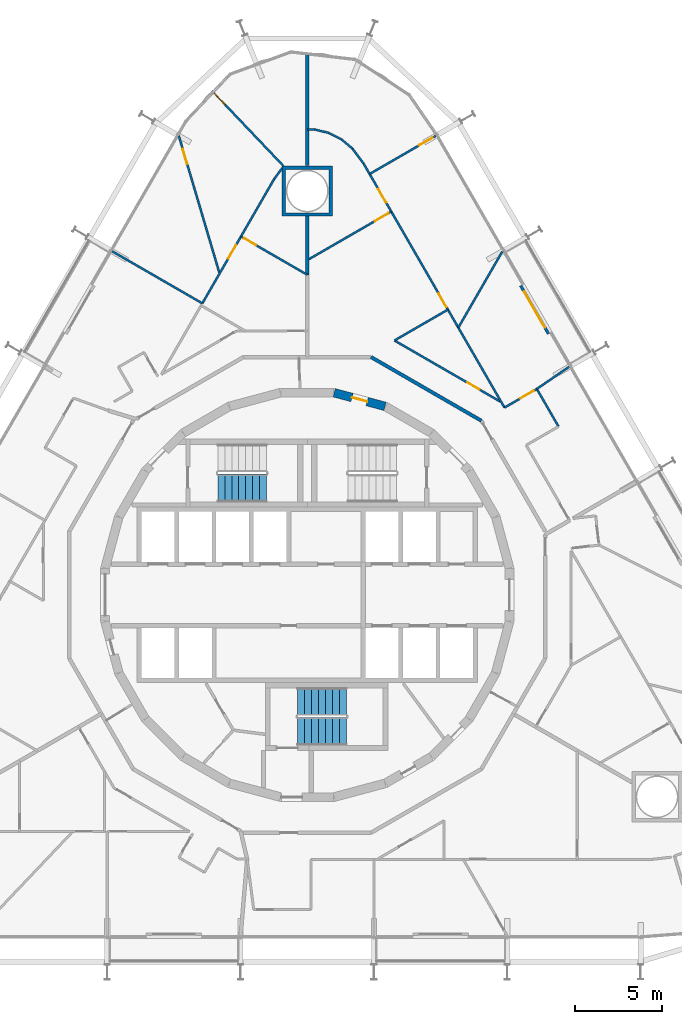
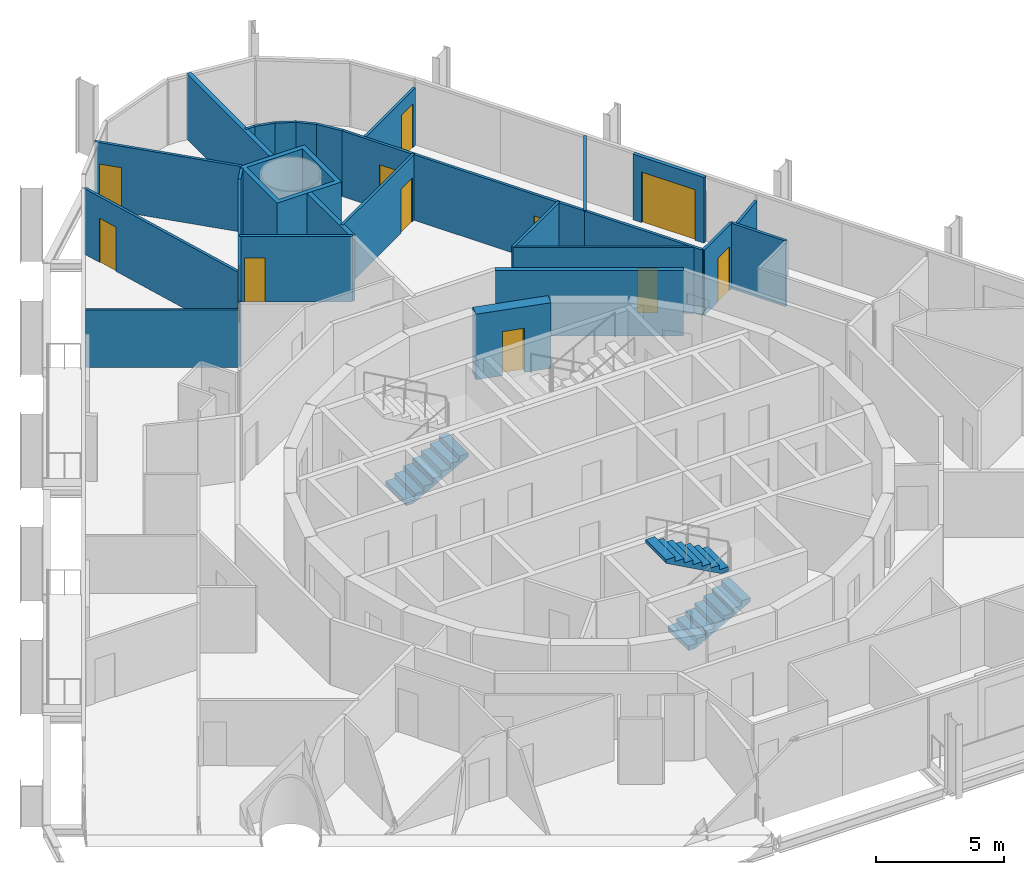
# One storey, part 18 of 20: 27 walls, 12 doors, 3 stair flights, 12 openings, 2 elements without a shape of their own.
"""IFC4 building model written with IfcOpenShell, lengths in metres."""

from ifc_helpers import new_model, si_unit, direction, frame, frame_2d, origin, place, context, subcontext, project, spatial, polyline, rectangle, outline, extrude, material, layer, layer_set, type_object, element, fill, aggregate, save


model = new_model("IFC4")

# Units and contexts
model_context = context("Model", 3, precision=1e-05, world=origin(), true_north=direction((0.0, 1.0)))
body_context = subcontext(model_context, "Body", "Model", "MODEL_VIEW")
ifc_project = project(units=[si_unit("LENGTHUNIT", "METRE"), si_unit("AREAUNIT", "SQUARE_METRE"), si_unit("VOLUMEUNIT", "CUBIC_METRE"), si_unit("PLANEANGLEUNIT", "RADIAN"), si_unit("MASSUNIT", "GRAM", prefix="KILO")], contexts=[model_context])

# Site, building, storey
site_placement = place(None, origin())
site = spatial("IfcSite", under=ifc_project, at=site_placement, CompositionType="ELEMENT")
building_placement = place(site_placement, origin())
building = spatial("IfcBuilding", under=site, at=building_placement, Name="Spindle Arch Residences", CompositionType="ELEMENT")
storey_placement = place(building_placement, frame((0.0, 0.0, 59.39990234375)))
storey = spatial("IfcBuildingStorey", under=building, at=storey_placement, Name="L13", CompositionType="ELEMENT", Elevation=59.39990234375)

# Wall, opening, door
ifc_material_1 = material(Name="Concrete C50/60", Category="concrete")
ifc_layer_1 = layer(ifc_material_1, 0.5)
ifc_layer_set_1 = layer_set([ifc_layer_1], Name="Core outline wall 500")
wall_type_1 = type_object("IfcWallType", Name="Core outline wall 500", PredefinedType="SHEAR", material=ifc_layer_set_1)
wall_1_placement = place(storey_placement, frame((4.479248046875, 10.858154296875, 0.0), z_axis=(0.0, 0.0, 1.0), x_axis=(-0.965948410781, 0.258734743916, 0.0)))
wall_1 = element("IfcWall", 1, at=wall_1_placement, inside=storey, type_object=wall_type_1, Name="Core outline wall 11", PredefinedType="SHEAR", context=body_context, shape_type="SweptSolid", body=[
    extrude(rectangle(XDim=3.03271484375, YDim=0.5, at=frame_2d((1.516357421875, 0.0))), origin(), (0.0, 0.0, 1.0), 3.1201171875),
])
opening_1_placement = place(wall_1_placement, frame((1.066162109375, 0.0, 0.0)))
opening_1 = element("IfcOpeningElement", 2, at=opening_1_placement, cuts=wall_1, Name="Opening R1C0-WD09", PredefinedType="OPENING", context=body_context, shape_type="SweptSolid", body=[
    extrude(rectangle(XDim=0.89990234375, YDim=2.10009765625, at=frame_2d((0.449951171875, 1.050048828125))), frame((0.0, 0.260009765625, 0.0), z_axis=(0.0, -1.0, 0.0), x_axis=(1.0, 0.0, 0.0)), (0.0, 0.0, 1.0), 0.52001953125),
])
ifc_material_2 = material(Name="Steel, fire-resisting door", Category="steel")
door_type_1 = type_object("IfcDoorType", Name="Service room door 900x2100", OperationType="SINGLE_SWING_LEFT", PredefinedType="DOOR", material=ifc_material_2)
door_1_placement = place(opening_1_placement, origin())
door_1 = element("IfcDoor", 3, at=door_1_placement, inside=storey, type_object=door_type_1, Name="Service room door R1C0-WD09", OperationType="SINGLE_SWING_RIGHT", OverallHeight=2.10009765625, OverallWidth=0.89990234375, PredefinedType="DOOR", context=body_context, shape_type="SweptSolid", body=[
    extrude(rectangle(XDim=0.89990234375, YDim=2.10009765625, at=frame_2d((0.449951171875, 1.050048828125))), frame((0.0, 0.02490234375, 0.0), z_axis=(0.0, -1.0, 0.0), x_axis=(1.0, 0.0, 0.0)), (0.0, 0.0, 1.0), 0.050048828125),
])
fill(opening_1, door_1)

# Walls
ifc_material_3 = material(Name="Calcium silicate block, plastered")
ifc_layer_2 = layer(ifc_material_3, 0.199951171875)
ifc_layer_set_2 = layer_set([ifc_layer_2], Name="Corridor wall 200")
wall_type_2 = type_object("IfcWallType", Name="Corridor wall 200", PredefinedType="STANDARD", material=ifc_layer_set_2)
wall_2_placement = place(storey_placement, frame((10.029052734375, 10.029052734375, 0.0), z_axis=(0.0, 0.0, 1.0), x_axis=(-0.866024439905, 0.500001669485, 0.0)))
element("IfcWall", 4, at=wall_2_placement, inside=storey, type_object=wall_type_2, Name="Corridor wall R1C0-W005", PredefinedType="STANDARD", context=body_context, shape_type="SweptSolid", body=[
    extrude(rectangle(XDim=7.341796875, YDim=0.199951171875, at=frame_2d((3.6708984375, 0.0))), origin(), (0.0, 0.0, 1.0), 3.1201171875),
])
ifc_material_4 = material(Name="Plasterboard on steel studs", Category="steel")
ifc_layer_3 = layer(ifc_material_4, 0.1201171875)
ifc_layer_set_3 = layer_set([ifc_layer_3], Name="Flat partition 120")
wall_type_3 = type_object("IfcWallType", Name="Flat partition 120", PredefinedType="PARTITIONING", material=ifc_layer_set_3)
wall_3_placement = place(storey_placement, frame((14.470703125, 9.697021484375, 0.0), z_axis=(0.0, 0.0, 1.0), x_axis=(-0.500004234368, 0.866022959057, 0.0)))
element("IfcWall", 5, at=wall_3_placement, inside=storey, type_object=wall_type_3, Name="Flat partition R1C0-W034", PredefinedType="PARTITIONING", context=body_context, shape_type="SweptSolid", body=[
    extrude(rectangle(XDim=2.5, YDim=0.1201171875, at=frame_2d((1.25, 0.0))), origin(), (0.0, 0.0, 1.0), 3.1201171875),
])

# Wall, opening, door
wall_4_placement = place(storey_placement, frame((13.220703125, 11.862060546875, 0.0), z_axis=(0.0, 0.0, 1.0), x_axis=(-0.866055151781, -0.499948471418, 0.0)))
wall_4 = element("IfcWall", 6, at=wall_4_placement, inside=storey, type_object=wall_type_3, Name="Flat partition R1C0-W035", PredefinedType="PARTITIONING", context=body_context, shape_type="SweptSolid", body=[
    extrude(rectangle(XDim=2.150634765625, YDim=0.1201171875, at=frame_2d((1.0751953125, 0.0))), origin(), (0.0, 0.0, 1.0), 3.1201171875),
])
opening_2_placement = place(wall_4_placement, frame((0.199951171875, 0.0, 0.0)))
opening_2 = element("IfcOpeningElement", 7, at=opening_2_placement, cuts=wall_4, Name="Opening R1C0-ID02", PredefinedType="OPENING", context=body_context, shape_type="SweptSolid", body=[
    extrude(rectangle(XDim=0.89990234375, YDim=2.10009765625, at=frame_2d((0.449951171875, 1.050048828125))), frame((0.0, 0.070068359375, 0.0), z_axis=(0.0, -1.0, 0.0), x_axis=(1.0, 0.0, 0.0)), (0.0, 0.0, 1.0), 0.14013671875),
])
ifc_material_5 = material(Name="Timber door set", Category="wood")
door_type_2 = type_object("IfcDoorType", Name="Room door 900x2100", OperationType="NOTDEFINED", PredefinedType="DOOR", material=ifc_material_5)
door_2_placement = place(opening_2_placement, origin())
door_2 = element("IfcDoor", 8, at=door_2_placement, inside=storey, type_object=door_type_2, Name="Room door R1C0-ID02", OperationType="SINGLE_SWING_RIGHT", OverallHeight=2.10009765625, OverallWidth=0.89990234375, PredefinedType="DOOR", context=body_context, shape_type="SweptSolid", body=[
    extrude(rectangle(XDim=0.89990234375, YDim=2.10009765625, at=frame_2d((0.449951171875, 1.050048828125))), frame((0.0, 0.02490234375, 0.0), z_axis=(0.0, -1.0, 0.0), x_axis=(1.0, 0.0, 0.0)), (0.0, 0.0, 1.0), 0.050048828125),
])
fill(opening_2, door_2)

wall_5_placement = place(storey_placement, frame((11.127197265625, 11.127197265625, 0.0), z_axis=(0.0, 0.0, 1.0), x_axis=(-0.86602299963, 0.500004164094, 0.0)))
wall_5 = element("IfcWall", 9, at=wall_5_placement, inside=storey, type_object=wall_type_3, Name="Flat partition R1C0-W036", PredefinedType="PARTITIONING", context=body_context, shape_type="SweptSolid", body=[
    extrude(rectangle(XDim=7.0517578125, YDim=0.1201171875, at=frame_2d((3.52587890625, 0.0))), origin(), (0.0, 0.0, 1.0), 3.1201171875),
])
opening_3_placement = place(wall_5_placement, frame((1.39990234375, 0.0, 0.0)))
opening_3 = element("IfcOpeningElement", 10, at=opening_3_placement, cuts=wall_5, Name="Opening R1C0-BD01", PredefinedType="OPENING", context=body_context, shape_type="SweptSolid", body=[
    extrude(rectangle(XDim=0.800048828125, YDim=2.10009765625, at=frame_2d((0.39990234375, 1.050048828125))), frame((0.0, 0.070068359375, 0.0), z_axis=(0.0, -1.0, 0.0), x_axis=(1.0, 0.0, 0.0)), (0.0, 0.0, 1.0), 0.14013671875),
])
ifc_material_6 = material(Name="Timber door set", Category="wood")
door_type_3 = type_object("IfcDoorType", Name="Bathroom door 800x2100", OperationType="NOTDEFINED", PredefinedType="DOOR", material=ifc_material_6)
door_3_placement = place(opening_3_placement, origin())
door_3 = element("IfcDoor", 11, at=door_3_placement, inside=storey, type_object=door_type_3, Name="Bathroom door R1C0-BD01", OperationType="SINGLE_SWING_RIGHT", OverallHeight=2.10009765625, OverallWidth=0.800048828125, PredefinedType="DOOR", context=body_context, shape_type="SweptSolid", body=[
    extrude(rectangle(XDim=0.800048828125, YDim=2.10009765625, at=frame_2d((0.39990234375, 1.050048828125))), frame((0.0, 0.02490234375, 0.0), z_axis=(0.0, -1.0, 0.0), x_axis=(1.0, 0.0, 0.0)), (0.0, 0.0, 1.0), 0.050048828125),
])
fill(opening_3, door_3)

# Wall
wall_6_placement = place(storey_placement, frame((5.020263671875, 14.653076171875, 0.0), z_axis=(0.0, 0.0, 1.0), x_axis=(0.866028940167, 0.499993874756, 0.0)))
element("IfcWall", 12, at=wall_6_placement, inside=storey, type_object=wall_type_3, Name="Flat partition R1C0-W037", PredefinedType="PARTITIONING", context=body_context, shape_type="SweptSolid", body=[
    extrude(rectangle(XDim=3.5556640625, YDim=0.1201171875, at=frame_2d((1.77783203125, 0.0))), origin(), (0.0, 0.0, 1.0), 3.1201171875),
])

# Wall, openings, doors
wall_7_placement = place(storey_placement, frame((8.69970703125, 15.3916015625, 0.0), z_axis=(0.0, 0.0, 1.0), x_axis=(-0.500002742713, 0.866023820272, 0.0)))
wall_7 = element("IfcWall", 13, at=wall_7_placement, inside=storey, type_object=wall_type_3, Name="Flat partition R1C0-W038", PredefinedType="PARTITIONING", context=body_context, shape_type="SweptSolid", body=[
    extrude(rectangle(XDim=10.90771484375, YDim=0.1201171875, at=frame_2d((5.453857421875, 0.0))), origin(), (0.0, 0.0, 1.0), 3.1201171875),
])
opening_4_placement = place(wall_7_placement, frame((1.360107421875, 0.0, 0.0)))
opening_4 = element("IfcOpeningElement", 14, at=opening_4_placement, cuts=wall_7, Name="Opening R1C0-ID03", PredefinedType="OPENING", context=body_context, shape_type="SweptSolid", body=[
    extrude(rectangle(XDim=0.89990234375, YDim=2.10009765625, at=frame_2d((0.449951171875, 1.050048828125))), frame((0.0, 0.070068359375, 0.0), z_axis=(0.0, -1.0, 0.0), x_axis=(1.0, 0.0, 0.0)), (0.0, 0.0, 1.0), 0.14013671875),
])
opening_5_placement = place(wall_7_placement, frame((8.3173828125, 0.0, 0.0)))
opening_5 = element("IfcOpeningElement", 15, at=opening_5_placement, cuts=wall_7, Name="Opening R1C0-ID06", PredefinedType="OPENING", context=body_context, shape_type="SweptSolid", body=[
    extrude(rectangle(XDim=0.89990234375, YDim=2.10009765625, at=frame_2d((0.449951171875, 1.050048828125))), frame((0.0, 0.070068359375, 0.0), z_axis=(0.0, -1.0, 0.0), x_axis=(1.0, 0.0, 0.0)), (0.0, 0.0, 1.0), 0.14013671875),
])
door_4_placement = place(opening_4_placement, origin())
door_4 = element("IfcDoor", 16, at=door_4_placement, inside=storey, type_object=door_type_2, Name="Room door R1C0-ID03", OperationType="SINGLE_SWING_RIGHT", OverallHeight=2.10009765625, OverallWidth=0.89990234375, PredefinedType="DOOR", context=body_context, shape_type="SweptSolid", body=[
    extrude(rectangle(XDim=0.89990234375, YDim=2.10009765625, at=frame_2d((0.449951171875, 1.050048828125))), frame((0.0, 0.02490234375, 0.0), z_axis=(0.0, -1.0, 0.0), x_axis=(1.0, 0.0, 0.0)), (0.0, 0.0, 1.0), 0.050048828125),
])
fill(opening_4, door_4)
door_5_placement = place(opening_5_placement, origin())
door_5 = element("IfcDoor", 17, at=door_5_placement, inside=storey, type_object=door_type_2, Name="Room door R1C0-ID06", OperationType="SINGLE_SWING_LEFT", OverallHeight=2.10009765625, OverallWidth=0.89990234375, PredefinedType="DOOR", context=body_context, shape_type="SweptSolid", body=[
    extrude(rectangle(XDim=0.89990234375, YDim=2.10009765625, at=frame_2d((0.449951171875, 1.050048828125))), frame((0.0, 0.02490234375, 0.0), z_axis=(0.0, -1.0, 0.0), x_axis=(1.0, 0.0, 0.0)), (0.0, 0.0, 1.0), 0.050048828125),
])
fill(opening_5, door_5)

# Wall, opening, door
wall_8_placement = place(storey_placement, frame((4.8408203125, 22.0751953125, 0.0), z_axis=(0.0, 0.0, 1.0), x_axis=(-0.866019751484, -0.500009789943, 0.0)))
wall_8 = element("IfcWall", 18, at=wall_8_placement, inside=storey, type_object=wall_type_3, Name="Flat partition R1C0-W039", PredefinedType="PARTITIONING", context=body_context, shape_type="SweptSolid", body=[
    extrude(rectangle(XDim=5.58984375, YDim=0.1201171875, at=frame_2d((2.794921875, 0.0))), origin(), (0.0, 0.0, 1.0), 3.1201171875),
])
opening_6_placement = place(wall_8_placement, frame((0.199951171875, 0.0, 0.0)))
opening_6 = element("IfcOpeningElement", 19, at=opening_6_placement, cuts=wall_8, Name="Opening R1C0-ID04", PredefinedType="OPENING", context=body_context, shape_type="SweptSolid", body=[
    extrude(rectangle(XDim=0.89990234375, YDim=2.10009765625, at=frame_2d((0.449951171875, 1.050048828125))), frame((0.0, 0.070068359375, 0.0), z_axis=(0.0, -1.0, 0.0), x_axis=(1.0, 0.0, 0.0)), (0.0, 0.0, 1.0), 0.14013671875),
])
door_6_placement = place(opening_6_placement, origin())
door_6 = element("IfcDoor", 20, at=door_6_placement, inside=storey, type_object=door_type_2, Name="Room door R1C0-ID04", OperationType="SINGLE_SWING_RIGHT", OverallHeight=2.10009765625, OverallWidth=0.89990234375, PredefinedType="DOOR", context=body_context, shape_type="SweptSolid", body=[
    extrude(rectangle(XDim=0.89990234375, YDim=2.10009765625, at=frame_2d((0.449951171875, 1.050048828125))), frame((0.0, 0.02490234375, 0.0), z_axis=(0.0, -1.0, 0.0), x_axis=(1.0, 0.0, 0.0)), (0.0, 0.0, 1.0), 0.050048828125),
])
fill(opening_6, door_6)

# Walls
wall_9_placement = place(storey_placement, frame((8.69970703125, 15.3916015625, 0.0), z_axis=(0.0, 0.0, 1.0), x_axis=(0.499986106925, -0.866033424806, 0.0)))
element("IfcWall", 21, at=wall_9_placement, inside=storey, type_object=wall_type_3, Name="Flat partition R1C0-W041", PredefinedType="PARTITIONING", context=body_context, shape_type="SweptSolid", body=[
    extrude(rectangle(XDim=5.317138671875, YDim=0.1201171875, at=frame_2d((2.65869140625, 0.0))), origin(), (0.0, 0.0, 1.0), 3.1201171875),
])
wall_10_placement = place(storey_placement, frame((11.239990234375, 19.791748046875, 0.0), z_axis=(0.0, 0.0, 1.0), x_axis=(-0.499978956711, -0.866037552792, 0.0)))
element("IfcWall", 22, at=wall_10_placement, inside=storey, type_object=wall_type_3, Name="Flat partition R1C0-W042", PredefinedType="PARTITIONING", context=body_context, shape_type="SweptSolid", body=[
    extrude(rectangle(XDim=5.080810546875, YDim=0.1201171875, at=frame_2d((2.54052734375, 0.0))), origin(), (0.0, 0.0, 1.0), 3.1201171875),
])
wall_11_placement = place(storey_placement, frame((0.0, 26.8056640625, 0.0), z_axis=(0.0, 0.0, 1.0), x_axis=(1.0, 0.0, 0.0)))
element("IfcWall", 23, at=wall_11_placement, inside=storey, type_object=wall_type_3, Name="Flat partition R1C0-W044", PredefinedType="PARTITIONING", context=body_context, shape_type="SweptSolid", body=[
    extrude(rectangle(XDim=0.41455078125, YDim=0.1201171875, at=frame_2d((0.207275390625, 0.0))), origin(), (0.0, 0.0, 1.0), 3.1201171875),
])
wall_12_placement = place(storey_placement, frame((0.41455078125, 26.8056640625, 0.0), z_axis=(0.0, 0.0, 1.0), x_axis=(0.973048993259, -0.230598475097, 0.0)))
element("IfcWall", 24, at=wall_12_placement, inside=storey, type_object=wall_type_3, Name="Flat partition R1C0-W045", PredefinedType="PARTITIONING", context=body_context, shape_type="SweptSolid", body=[
    extrude(rectangle(XDim=0.8291015625, YDim=0.1201171875, at=frame_2d((0.41455078125, 0.0))), origin(), (0.0, 0.0, 1.0), 3.1201171875),
])
for number, where, z_axis, x_axis, name in (
    (25, (1.22119140625, 26.614501953125, 0.0), (0.0, 0.0, 1.0), (0.893719110379, -0.448626962791, 0.0), "Flat partition R1C0-W046"),
    (26, (1.9619140625, 26.24267578125, 0.0), (0.0, 0.0, 1.0), (0.765849913579, -0.643019369748, 0.0), "Flat partition R1C0-W047"),
):
    element("IfcWall", number, at=place(storey_placement, frame(where, z_axis=z_axis, x_axis=x_axis)), inside=storey, type_object=wall_type_3, Name=name, PredefinedType="PARTITIONING", context=body_context, shape_type="SweptSolid", body=[
        extrude(rectangle(XDim=0.828857421875, YDim=0.1201171875, at=frame_2d((0.41455078125, 0.0))), origin(), (0.0, 0.0, 1.0), 3.1201171875),
    ])
wall_13_placement = place(storey_placement, frame((2.5966796875, 25.709716796875, 0.0), z_axis=(0.0, 0.0, 1.0), x_axis=(0.59722925597, -0.802070580319, 0.0)))
element("IfcWall", 27, at=wall_13_placement, inside=storey, type_object=wall_type_3, Name="Flat partition R1C0-W048", PredefinedType="PARTITIONING", context=body_context, shape_type="SweptSolid", body=[
    extrude(rectangle(XDim=1.0869140625, YDim=0.1201171875, at=frame_2d((0.54345703125, 0.0))), origin(), (0.0, 0.0, 1.0), 3.1201171875),
])

# Wall, opening, door
wall_14_placement = place(storey_placement, frame((-5.487060546875, 29.0283203125, 0.0), z_axis=(0.0, 0.0, 1.0), x_axis=(0.689189638576, -0.724581011398, 0.0)))
wall_14 = element("IfcWall", 28, at=wall_14_placement, inside=storey, type_object=wall_type_3, Name="Flat partition R1C0-W055", PredefinedType="PARTITIONING", context=body_context, shape_type="SweptSolid", body=[
    extrude(rectangle(XDim=5.960205078125, YDim=0.1201171875, at=frame_2d((2.97998046875, 0.0))), origin(), (0.0, 0.0, 1.0), 3.1201171875),
])
opening_7_placement = place(wall_14_placement, frame((0.199951171875, 0.0, 0.0)))
opening_7 = element("IfcOpeningElement", 29, at=opening_7_placement, cuts=wall_14, Name="Opening R1C0-ID10", PredefinedType="OPENING", context=body_context, shape_type="SweptSolid", body=[
    extrude(rectangle(XDim=0.89990234375, YDim=2.10009765625, at=frame_2d((0.449951171875, 1.050048828125))), frame((0.0, 0.070068359375, 0.0), z_axis=(0.0, -1.0, 0.0), x_axis=(1.0, 0.0, 0.0)), (0.0, 0.0, 1.0), 0.14013671875),
])
door_7_placement = place(opening_7_placement, origin())
door_7 = element("IfcDoor", 30, at=door_7_placement, inside=storey, type_object=door_type_2, Name="Room door R1C0-ID10", OperationType="SINGLE_SWING_LEFT", OverallHeight=2.10009765625, OverallWidth=0.89990234375, PredefinedType="DOOR", context=body_context, shape_type="SweptSolid", body=[
    extrude(rectangle(XDim=0.89990234375, YDim=2.10009765625, at=frame_2d((0.449951171875, 1.050048828125))), frame((0.0, 0.02490234375, 0.0), z_axis=(0.0, -1.0, 0.0), x_axis=(1.0, 0.0, 0.0)), (0.0, 0.0, 1.0), 0.050048828125),
])
fill(opening_7, door_7)

wall_15_placement = place(storey_placement, frame((-3.820556640625, 20.642578125, 0.0), z_axis=(0.0, 0.0, 1.0), x_axis=(0.866024310165, -0.5000018942, 0.0)))
wall_15 = element("IfcWall", 31, at=wall_15_placement, inside=storey, type_object=wall_type_3, Name="Flat partition R1C0-W056", PredefinedType="PARTITIONING", context=body_context, shape_type="SweptSolid", body=[
    extrude(rectangle(XDim=4.41162109375, YDim=0.1201171875, at=frame_2d((2.205810546875, 0.0))), origin(), (0.0, 0.0, 1.0), 3.1201171875),
])
opening_8_placement = place(wall_15_placement, frame((0.199951171875, 0.0, 0.0)))
opening_8 = element("IfcOpeningElement", 32, at=opening_8_placement, cuts=wall_15, Name="Opening R1C0-BD03", PredefinedType="OPENING", context=body_context, shape_type="SweptSolid", body=[
    extrude(rectangle(XDim=0.800048828125, YDim=2.10009765625, at=frame_2d((0.39990234375, 1.050048828125))), frame((0.0, 0.070068359375, 0.0), z_axis=(0.0, -1.0, 0.0), x_axis=(1.0, 0.0, 0.0)), (0.0, 0.0, 1.0), 0.14013671875),
])
door_8_placement = place(opening_8_placement, origin())
door_8 = element("IfcDoor", 33, at=door_8_placement, inside=storey, type_object=door_type_3, Name="Bathroom door R1C0-BD03", OperationType="SINGLE_SWING_LEFT", OverallHeight=2.10009765625, OverallWidth=0.800048828125, PredefinedType="DOOR", context=body_context, shape_type="SweptSolid", body=[
    extrude(rectangle(XDim=0.800048828125, YDim=2.10009765625, at=frame_2d((0.39990234375, 1.050048828125))), frame((0.0, 0.02490234375, 0.0), z_axis=(0.0, -1.0, 0.0), x_axis=(1.0, 0.0, 0.0)), (0.0, 0.0, 1.0), 0.050048828125),
])
fill(opening_8, door_8)

# Wall
wall_16_placement = place(storey_placement, frame((-1.449951171875, 24.57080078125, 0.0), z_axis=(0.0, 0.0, 1.0), x_axis=(-0.597187509737, -0.802101663266, 0.0)))
element("IfcWall", 34, at=wall_16_placement, inside=storey, type_object=wall_type_3, Name="Flat partition R1C0-W057", PredefinedType="PARTITIONING", context=body_context, shape_type="SweptSolid", body=[
    extrude(rectangle(XDim=0.764892578125, YDim=0.1201171875, at=frame_2d((0.38232421875, 0.0))), origin(), (0.0, 0.0, 1.0), 3.1201171875),
])

# Wall, opening, door
wall_17_placement = place(storey_placement, frame((-1.90673828125, 23.957275390625, 0.0), z_axis=(0.0, 0.0, 1.0), x_axis=(-0.499994901178, -0.866028347571, 0.0)))
wall_17 = element("IfcWall", 35, at=wall_17_placement, inside=storey, type_object=wall_type_3, Name="Flat partition R1C0-W058", PredefinedType="PARTITIONING", context=body_context, shape_type="SweptSolid", body=[
    extrude(rectangle(XDim=8.27392578125, YDim=0.1201171875, at=frame_2d((4.136962890625, 0.0))), origin(), (0.0, 0.0, 1.0), 3.1201171875),
])
opening_9_placement = place(wall_17_placement, frame((4.387451171875, 0.0, 0.0)))
opening_9 = element("IfcOpeningElement", 36, at=opening_9_placement, cuts=wall_17, Name="Opening R1C0-ID09", PredefinedType="OPENING", context=body_context, shape_type="SweptSolid", body=[
    extrude(rectangle(XDim=0.89990234375, YDim=2.10009765625, at=frame_2d((0.449951171875, 1.050048828125))), frame((0.0, 0.070068359375, 0.0), z_axis=(0.0, -1.0, 0.0), x_axis=(1.0, 0.0, 0.0)), (0.0, 0.0, 1.0), 0.14013671875),
])
door_9_placement = place(opening_9_placement, origin())
door_9 = element("IfcDoor", 37, at=door_9_placement, inside=storey, type_object=door_type_2, Name="Room door R1C0-ID09", OperationType="SINGLE_SWING_LEFT", OverallHeight=2.10009765625, OverallWidth=0.89990234375, PredefinedType="DOOR", context=body_context, shape_type="SweptSolid", body=[
    extrude(rectangle(XDim=0.89990234375, YDim=2.10009765625, at=frame_2d((0.449951171875, 1.050048828125))), frame((0.0, 0.02490234375, 0.0), z_axis=(0.0, -1.0, 0.0), x_axis=(1.0, 0.0, 0.0)), (0.0, 0.0, 1.0), 0.050048828125),
])
fill(opening_9, door_9)

wall_18_placement = place(storey_placement, frame((-7.39990234375, 26.44287109375, 0.0), z_axis=(0.0, 0.0, 1.0), x_axis=(0.283777867447, -0.95889004685, 0.0)))
wall_18 = element("IfcWall", 38, at=wall_18_placement, inside=storey, type_object=wall_type_3, Name="Flat partition R1C0-W060", PredefinedType="PARTITIONING", context=body_context, shape_type="SweptSolid", body=[
    extrude(rectangle(XDim=8.273681640625, YDim=0.1201171875, at=frame_2d((4.13671875, 0.0))), origin(), (0.0, 0.0, 1.0), 3.1201171875),
])
opening_10_placement = place(wall_18_placement, frame((0.800048828125, 0.0, 0.0)))
opening_10 = element("IfcOpeningElement", 39, at=opening_10_placement, cuts=wall_18, Name="Opening R1C0-ID11", PredefinedType="OPENING", context=body_context, shape_type="SweptSolid", body=[
    extrude(rectangle(XDim=0.89990234375, YDim=2.10009765625, at=frame_2d((0.449951171875, 1.050048828125))), frame((0.0, 0.070068359375, 0.0), z_axis=(0.0, -1.0, 0.0), x_axis=(1.0, 0.0, 0.0)), (0.0, 0.0, 1.0), 0.14013671875),
])
door_10_placement = place(opening_10_placement, origin())
door_10 = element("IfcDoor", 40, at=door_10_placement, inside=storey, type_object=door_type_2, Name="Room door R1C0-ID11", OperationType="SINGLE_SWING_RIGHT", OverallHeight=2.10009765625, OverallWidth=0.89990234375, PredefinedType="DOOR", context=body_context, shape_type="SweptSolid", body=[
    extrude(rectangle(XDim=0.89990234375, YDim=2.10009765625, at=frame_2d((0.449951171875, 1.050048828125))), frame((0.0, 0.02490234375, 0.0), z_axis=(0.0, -1.0, 0.0), x_axis=(1.0, 0.0, 0.0)), (0.0, 0.0, 1.0), 0.050048828125),
])
fill(opening_10, door_10)

# Wall
ifc_material_7 = material(Name="Plasterboard on steel studs", Category="steel")
ifc_layer_4 = layer(ifc_material_7, 0.1201171875)
ifc_layer_set_4 = layer_set([ifc_layer_4], Name="Flat partition 120 under beam 2730")
wall_type_4 = type_object("IfcWallType", Name="Flat partition 120 under beam 2730", PredefinedType="PARTITIONING", material=ifc_layer_set_4)
wall_19_placement = place(storey_placement, frame((15.080078125, 13.140380859375, 0.0), z_axis=(0.0, 0.0, 1.0), x_axis=(-0.824041924199, -0.566528822887, 0.0)))
element("IfcWall", 41, at=wall_19_placement, inside=storey, type_object=wall_type_4, Name="Flat partition R1C0-W040", PredefinedType="PARTITIONING", context=body_context, shape_type="SweptSolid", body=[
    extrude(rectangle(XDim=2.25634765625, YDim=0.1201171875, at=frame_2d((1.128173828125, 0.0))), origin(), (0.0, 0.0, 1.0), 2.72998046875),
])

# Wall, opening, door
wall_20_placement = place(storey_placement, frame((7.39990234375, 26.44287109375, 0.0), z_axis=(0.0, 0.0, 1.0), x_axis=(-0.866032203192, -0.499988222896, 0.0)))
wall_20 = element("IfcWall", 42, at=wall_20_placement, inside=storey, type_object=wall_type_4, Name="Flat partition R1C0-W043", PredefinedType="PARTITIONING", context=body_context, shape_type="SweptSolid", body=[
    extrude(rectangle(XDim=4.39990234375, YDim=0.1201171875, at=frame_2d((2.199951171875, 0.0))), origin(), (0.0, 0.0, 1.0), 2.72998046875),
])
opening_11_placement = place(wall_20_placement, frame((0.199951171875, 0.0, 0.0)))
opening_11 = element("IfcOpeningElement", 43, at=opening_11_placement, cuts=wall_20, Name="Opening R1C0-ID05", PredefinedType="OPENING", context=body_context, shape_type="SweptSolid", body=[
    extrude(rectangle(XDim=0.89990234375, YDim=2.10009765625, at=frame_2d((0.449951171875, 1.050048828125))), frame((0.0, 0.070068359375, 0.0), z_axis=(0.0, -1.0, 0.0), x_axis=(1.0, 0.0, 0.0)), (0.0, 0.0, 1.0), 0.14013671875),
])
door_11_placement = place(opening_11_placement, origin())
door_11 = element("IfcDoor", 44, at=door_11_placement, inside=storey, type_object=door_type_2, Name="Room door R1C0-ID05", OperationType="SINGLE_SWING_RIGHT", OverallHeight=2.10009765625, OverallWidth=0.89990234375, PredefinedType="DOOR", context=body_context, shape_type="SweptSolid", body=[
    extrude(rectangle(XDim=0.89990234375, YDim=2.10009765625, at=frame_2d((0.449951171875, 1.050048828125))), frame((0.0, 0.02490234375, 0.0), z_axis=(0.0, -1.0, 0.0), x_axis=(1.0, 0.0, 0.0)), (0.0, 0.0, 1.0), 0.050048828125),
])
fill(opening_11, door_11)

# Walls
wall_21_placement = place(storey_placement, frame((-11.239990234375, 19.791748046875, 0.0), z_axis=(0.0, 0.0, 1.0), x_axis=(0.866031096941, -0.499990139034, 0.0)))
element("IfcWall", 45, at=wall_21_placement, inside=storey, type_object=wall_type_4, Name="Flat partition R1C0-W061", PredefinedType="PARTITIONING", context=body_context, shape_type="SweptSolid", body=[
    extrude(rectangle(XDim=6.0, YDim=0.1201171875, at=frame_2d((3.0, 0.0))), origin(), (0.0, 0.0, 1.0), 2.72998046875),
])
ifc_material_8 = material(Name="Calcium silicate block, plastered")
ifc_layer_5 = layer(ifc_material_8, 0.199951171875)
ifc_layer_set_5 = layer_set([ifc_layer_5], Name="Flat party wall 200")
wall_type_5 = type_object("IfcWallType", Name="Flat party wall 200", PredefinedType="STANDARD", material=ifc_layer_set_5)
wall_22_placement = place(storey_placement, frame((0.0, 21.809814453125, 0.0), z_axis=(0.0, 0.0, 1.0), x_axis=(0.0, -1.0, 0.0)))
element("IfcWall", 46, at=wall_22_placement, inside=storey, type_object=wall_type_5, Name="Flat party wall R1C0-W018", PredefinedType="STANDARD", context=body_context, shape_type="SweptSolid", body=[
    extrude(rectangle(XDim=3.373046875, YDim=0.199951171875, at=frame_2d((1.6865234375, 0.0))), origin(), (0.0, 0.0, 1.0), 3.1201171875),
])
wall_23_placement = place(storey_placement, frame((0.0, 31.205810546875, 0.0), z_axis=(0.0, 0.0, 1.0), x_axis=(-0.001543266126, -0.999998809164, 0.0)))
element("IfcWall", 47, at=wall_23_placement, inside=storey, type_object=wall_type_5, Name="Flat party wall R1C0-W021", PredefinedType="STANDARD", context=body_context, shape_type="SweptSolid", body=[
    extrude(rectangle(XDim=6.486083984375, YDim=0.199951171875, at=frame_2d((3.2431640625, 0.0))), origin(), (0.0, 0.0, 1.0), 3.1201171875),
])

# Wall, opening, door
ifc_material_9 = material(Name="Non-combustible mineral wool insulated aluminium faced external wall (K0)", Category="aluminium")
ifc_layer_6 = layer(ifc_material_9, 0.159912109375)
ifc_layer_set_6 = layer_set([ifc_layer_6], Name="Insulated external wall panel 160")
wall_type_6 = type_object("IfcWallType", Name="Insulated external wall panel 160", PredefinedType="STANDARD", material=ifc_layer_set_6)
wall_24_placement = place(storey_placement, frame((13.890625, 15.04052734375, 0.0), z_axis=(0.0, 0.0, 1.0), x_axis=(-0.499971222258, 0.866042017984, 0.0)))
wall_24 = element("IfcWall", 48, at=wall_24_placement, inside=storey, type_object=wall_type_6, Name="External wall L13 bay 9", PredefinedType="STANDARD", context=body_context, shape_type="SweptSolid", body=[
    extrude(rectangle(XDim=3.199951171875, YDim=0.159912109375, at=frame_2d((1.60009765625, 0.0))), origin(), (0.0, 0.0, 1.0), 3.1201171875),
])
opening_12_placement = place(wall_24_placement, frame((0.39990234375, 0.0, 0.0)))
opening_12 = element("IfcOpeningElement", 49, at=opening_12_placement, cuts=wall_24, Name="Opening BD09", PredefinedType="OPENING", context=body_context, shape_type="SweptSolid", body=[
    extrude(rectangle(XDim=2.39990234375, YDim=2.39990234375, at=frame_2d((1.199951171875, 1.199951171875))), frame((0.0, 0.08984375, 0.0), z_axis=(0.0, -1.0, 0.0), x_axis=(1.0, 0.0, 0.0)), (0.0, 0.0, 1.0), 0.179931640625),
])
ifc_material_10 = material(Name="Bronze aluminium frame, tinted double glazing", Category="aluminium")
door_type_4 = type_object("IfcDoorType", Name="Sliding glazed balcony door 2400x2400", OperationType="DOUBLE_DOOR_SLIDING", PredefinedType="DOOR", material=ifc_material_10)
door_12_placement = place(opening_12_placement, origin())
door_12 = element("IfcDoor", 50, at=door_12_placement, inside=storey, type_object=door_type_4, Name="Balcony door BD09", OperationType="DOUBLE_DOOR_SLIDING", OverallHeight=2.39990234375, OverallWidth=2.39990234375, PredefinedType="DOOR", context=body_context, shape_type="SweptSolid", body=[
    extrude(rectangle(XDim=2.39990234375, YDim=2.39990234375, at=frame_2d((1.199951171875, 1.199951171875))), frame((0.0, 0.02490234375, 0.0), z_axis=(0.0, -1.0, 0.0), x_axis=(1.0, 0.0, 0.0)), (0.0, 0.0, 1.0), 0.050048828125),
])
fill(opening_12, door_12)

# Wall
ifc_material_11 = material(Name="Calcium silicate block, plastered")
ifc_layer_7 = layer(ifc_material_11, 0.199951171875)
ifc_layer_set_7 = layer_set([ifc_layer_7], Name="Mega-column casing wall 200")
wall_type_7 = type_object("IfcWallType", Name="Mega-column casing wall 200", PredefinedType="STANDARD", material=ifc_layer_set_7)
wall_25_placement = place(storey_placement, origin())
element("IfcWall", 51, at=wall_25_placement, inside=storey, type_object=wall_type_7, Name="Mega-column casing wall R1C0-WC01", PredefinedType="STANDARD", context=body_context, shape_type="SweptSolid", body=[
    extrude(outline(polyline([(1.449951171875, 24.709716796875), (1.449951171875, 21.809814453125), (-1.449951171875, 21.809814453125), (-1.449951171875, 24.709716796875), (1.449951171875, 24.709716796875)]), holes=[polyline([(-1.25, 22.009765625), (1.25, 22.009765625), (1.25, 24.509765625), (-1.25, 24.509765625), (-1.25, 22.009765625)])]), origin(), (0.0, 0.0, 1.0), 3.1201171875),
])

# Stair, stair flight
ifc_material_12 = material(Name="Concrete C50/60", Category="concrete")
stair_type = type_object("IfcStairType", Name="Exit stair 16 risers", PredefinedType="HALF_TURN_STAIR", material=ifc_material_12)
stair_1_placement = place(storey_placement, origin())
stair_1 = element("IfcStair", 52, at=stair_1_placement, inside=storey, type_object=stair_type, Name="L13 Exit stair ST2", PredefinedType="HALF_TURN_STAIR")
ifc_material_13 = material(Name="Concrete C50/60", Category="concrete")
stair_flight_type = type_object("IfcStairFlightType", Name="Exit stair flight", PredefinedType="STRAIGHT", material=ifc_material_13)
stair_flight_1_placement = place(storey_placement, frame((-5.14990234375, 6.14990234375, 0.0), z_axis=(0.0, 0.0, 1.0), x_axis=(1.0, 0.0, 0.0)))
stair_flight_1 = element("IfcStairFlight", 53, at=stair_flight_1_placement, type_object=stair_flight_type, Name="ST2 flight 1", NumberOfRisers=8, NumberOfTreads=7, PredefinedType="STRAIGHT", RiserHeight=0.21875, TreadLength=0.4, context=body_context, shape_type="SweptSolid", body=[
    extrude(outline(polyline([(0.0, 0.0), (0.0, 0.21875), (0.39990234375, 0.21875), (0.39990234375, 0.4375), (0.800048828125, 0.4375), (0.800048828125, 0.65625), (1.199951171875, 0.65625), (1.199951171875, 0.875), (1.60009765625, 0.875), (1.60009765625, 1.09375), (2.0, 1.09375), (2.0, 1.3125), (2.39990234375, 1.3125), (2.39990234375, 1.53125), (2.800048828125, 1.53125), (2.800048828125, 1.75), (2.800048828125, 1.3603515625), (0.3125, 0.0), (0.0, 0.0)])), frame((0.0, 0.800048828125, 0.0), z_axis=(0.0, -1.0, 0.0), x_axis=(1.0, 0.0, 0.0)), (0.0, 0.0, 1.0), 1.60009765625),
])
aggregate(stair_1, [stair_flight_1])

# Stair, stair flights
stair_2_placement = place(storey_placement, origin())
stair_2 = element("IfcStair", 54, at=stair_2_placement, inside=storey, type_object=stair_type, Name="L13 Exit stair ST3", PredefinedType="HALF_TURN_STAIR")
stair_flight_2_placement = place(storey_placement, frame((-0.550048828125, -7.8701171875, 0.0), z_axis=(0.0, 0.0, 1.0), x_axis=(1.0, 0.0, 0.0)))
stair_flight_2 = element("IfcStairFlight", 55, at=stair_flight_2_placement, type_object=stair_flight_type, Name="ST3 flight 1", NumberOfRisers=8, NumberOfTreads=7, PredefinedType="STRAIGHT", RiserHeight=0.21875, TreadLength=0.4, context=body_context, shape_type="SweptSolid", body=[
    extrude(outline(polyline([(0.0, 0.0), (0.0, 0.21875), (0.39990234375, 0.21875), (0.39990234375, 0.4375), (0.800048828125, 0.4375), (0.800048828125, 0.65625), (1.199951171875, 0.65625), (1.199951171875, 0.875), (1.60009765625, 0.875), (1.60009765625, 1.09375), (2.0, 1.09375), (2.0, 1.3125), (2.39990234375, 1.3125), (2.39990234375, 1.53125), (2.800048828125, 1.53125), (2.800048828125, 1.75), (2.800048828125, 1.3603515625), (0.3125, 0.0), (0.0, 0.0)])), frame((0.0, 0.800048828125, 0.0), z_axis=(0.0, -1.0, 0.0), x_axis=(1.0, 0.0, 0.0)), (0.0, 0.0, 1.0), 1.60009765625),
])
stair_flight_3_placement = place(storey_placement, frame((2.25, -6.14990234375, 1.75), z_axis=(0.0, 0.0, 1.0), x_axis=(-1.0, 0.0, 0.0)))
stair_flight_3 = element("IfcStairFlight", 56, at=stair_flight_3_placement, type_object=stair_flight_type, Name="ST3 flight 2", NumberOfRisers=8, NumberOfTreads=7, PredefinedType="STRAIGHT", RiserHeight=0.21875, TreadLength=0.4, context=body_context, shape_type="SweptSolid", body=[
    extrude(outline(polyline([(0.0, 0.0), (0.0, 0.21875), (0.39990234375, 0.21875), (0.39990234375, 0.4375), (0.800048828125, 0.4375), (0.800048828125, 0.65625), (1.199951171875, 0.65625), (1.199951171875, 0.875), (1.60009765625, 0.875), (1.60009765625, 1.09375), (2.0, 1.09375), (2.0, 1.3125), (2.39990234375, 1.3125), (2.39990234375, 1.53125), (2.800048828125, 1.53125), (2.800048828125, 1.75), (2.800048828125, 1.3603515625), (0.3125, 0.0), (0.0, 0.0)])), frame((0.0, 0.800048828125, 0.0), z_axis=(0.0, -1.0, 0.0), x_axis=(1.0, 0.0, 0.0)), (0.0, 0.0, 1.0), 1.60009765625),
])
aggregate(stair_2, [stair_flight_2, stair_flight_3])

save(model, "model.ifc")
